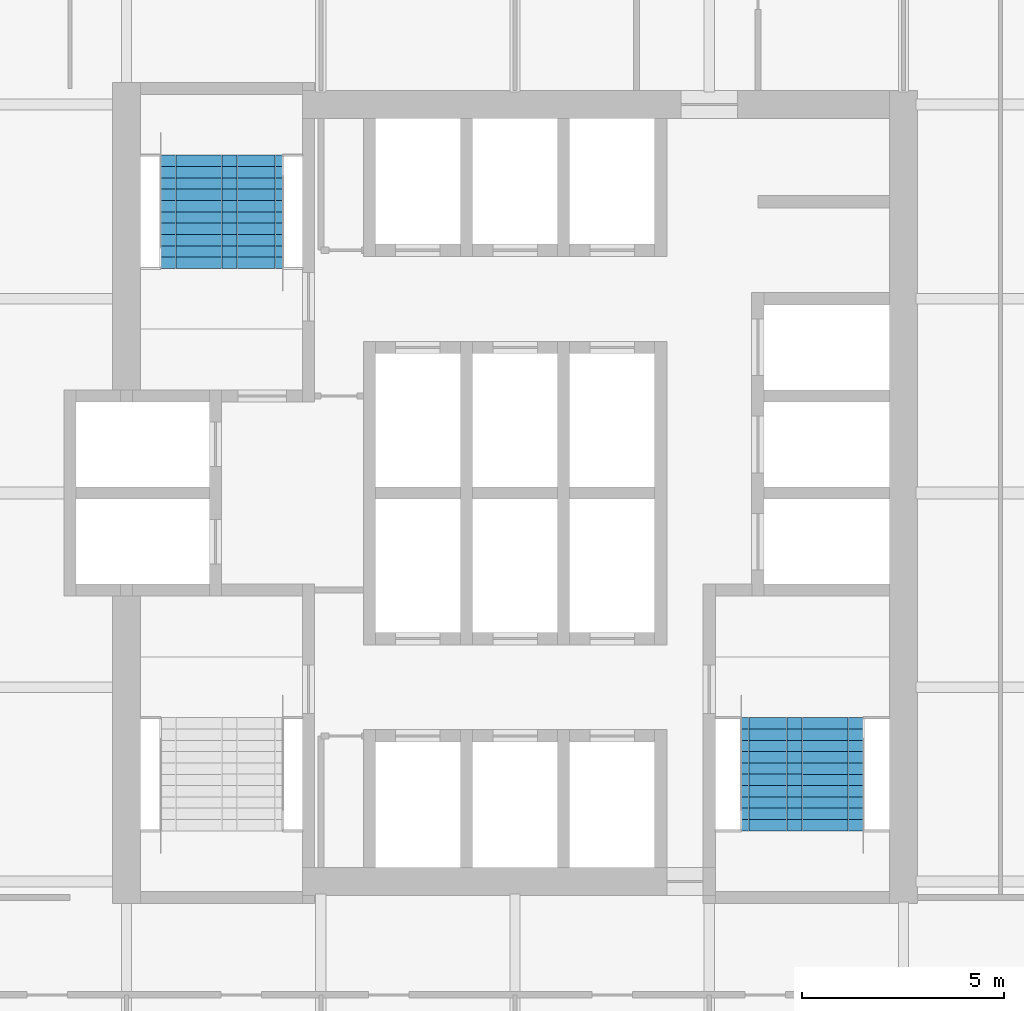
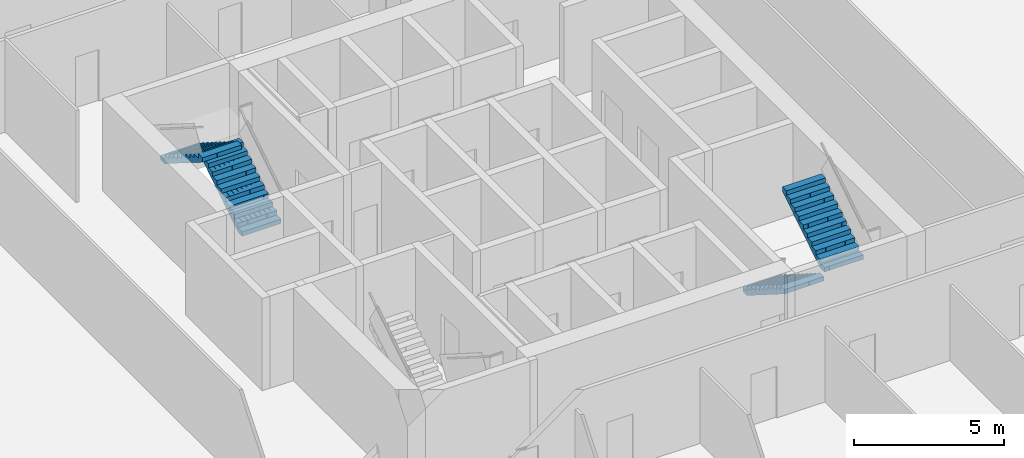
# One storey, part 13 of 15: 4 stair flights, 2 elements without a shape of their own.
"""IFC4 building model written with IfcOpenShell, lengths in metres."""

from ifc_helpers import new_model, si_unit, direction, frame, origin, place, context, subcontext, project, spatial, polyline, outline, extrude, material, type_object, element, aggregate, save


model = new_model("IFC4")

# Units and contexts
model_context = context("Model", 3, precision=1e-05, world=origin(), true_north=direction((0.0, 1.0)))
body_context = subcontext(model_context, "Body", "Model", "MODEL_VIEW")
ifc_project = project(units=[si_unit("LENGTHUNIT", "METRE"), si_unit("AREAUNIT", "SQUARE_METRE"), si_unit("VOLUMEUNIT", "CUBIC_METRE"), si_unit("PLANEANGLEUNIT", "RADIAN"), si_unit("MASSUNIT", "GRAM", prefix="KILO")], contexts=[model_context])

# Site, building, storey
site_placement = place(None, origin())
site = spatial("IfcSite", under=ifc_project, at=site_placement, CompositionType="ELEMENT")
building_placement = place(site_placement, origin())
building = spatial("IfcBuilding", under=site, at=building_placement, Name="Kolab Exchange Tower", CompositionType="ELEMENT")
storey_placement = place(building_placement, frame((0.0, 0.0, 189.5)))
storey = spatial("IfcBuildingStorey", under=building, at=storey_placement, Name="L40", CompositionType="ELEMENT", Elevation=189.5)

# Stair, stair flights
ifc_material = material(Name="Concrete C50/60", Category="concrete")
stair_type_1 = type_object("IfcStairType", Name="STAIR ST1 RISER 177.3", PredefinedType="HALF_TURN_STAIR", material=ifc_material)
stair_1_placement = place(storey_placement, origin())
stair_1 = element("IfcStair", 1, at=stair_1_placement, inside=storey, type_object=stair_type_1, Name="Stair 1", PredefinedType="HALF_TURN_STAIR")
stair_flight_type = type_object("IfcStairFlightType", Name="STAIR FLIGHT 1500 RISER 177.3", PredefinedType="STRAIGHT", material=ifc_material)
stair_flight_1_placement = place(storey_placement, frame((-6.489990234375, 5.550048828125, 0.0), z_axis=(0.0, 0.0, 1.0), x_axis=(0.0, 1.0, 0.0)))
stair_flight_1 = element("IfcStairFlight", 2, at=stair_flight_1_placement, type_object=stair_flight_type, Name="ST1 flight 1", NumberOfRisers=11, NumberOfTreads=10, PredefinedType="STRAIGHT", RiserHeight=0.177272727, TreadLength=0.28, context=body_context, shape_type="SweptSolid", body=[
    extrude(outline(polyline([(0.0, 0.0), (0.0, 0.17724609375), (0.280029296875, 0.17724609375), (0.280029296875, 0.3544921875), (0.56005859375, 0.3544921875), (0.56005859375, 0.53173828125), (0.840087890625, 0.53173828125), (0.840087890625, 0.708984375), (1.1201171875, 0.708984375), (1.1201171875, 0.886474609375), (1.39990234375, 0.886474609375), (1.39990234375, 1.063720703125), (1.679931640625, 1.063720703125), (1.679931640625, 1.240966796875), (1.9599609375, 1.240966796875), (1.9599609375, 1.418212890625), (2.239990234375, 1.418212890625), (2.239990234375, 1.595458984375), (2.52001953125, 1.595458984375), (2.52001953125, 1.772705078125), (2.800048828125, 1.772705078125), (2.800048828125, 1.949951171875), (2.800048828125, 1.59521484375), (0.2802734375, 0.0), (0.0, 0.0)])), frame((0.0, 0.75, 0.0), z_axis=(0.0, -1.0, 0.0), x_axis=(1.0, 0.0, 0.0)), (0.0, 0.0, 1.0), 0.185791015625),
    extrude(outline(polyline([(0.0, 0.0), (0.0, 0.17724609375), (0.280029296875, 0.17724609375), (0.280029296875, 0.3544921875), (0.56005859375, 0.3544921875), (0.56005859375, 0.53173828125), (0.840087890625, 0.53173828125), (0.840087890625, 0.708984375), (1.1201171875, 0.708984375), (1.1201171875, 0.886474609375), (1.39990234375, 0.886474609375), (1.39990234375, 1.063720703125), (1.679931640625, 1.063720703125), (1.679931640625, 1.240966796875), (1.9599609375, 1.240966796875), (1.9599609375, 1.418212890625), (2.239990234375, 1.418212890625), (2.239990234375, 1.595458984375), (2.52001953125, 1.595458984375), (2.52001953125, 1.772705078125), (2.800048828125, 1.772705078125), (2.800048828125, 1.949951171875), (2.800048828125, 1.59521484375), (0.2802734375, 0.0), (0.0, 0.0)])), frame((0.0, 0.562255859375, 0.0), z_axis=(0.0, -1.0, 0.0), x_axis=(1.0, 0.0, 0.0)), (0.0, 0.0, 1.0), 0.185791015625),
    extrude(outline(polyline([(0.0, 0.0), (0.0, 0.17724609375), (0.280029296875, 0.17724609375), (0.280029296875, 0.3544921875), (0.56005859375, 0.3544921875), (0.56005859375, 0.53173828125), (0.840087890625, 0.53173828125), (0.840087890625, 0.708984375), (1.1201171875, 0.708984375), (1.1201171875, 0.886474609375), (1.39990234375, 0.886474609375), (1.39990234375, 1.063720703125), (1.679931640625, 1.063720703125), (1.679931640625, 1.240966796875), (1.9599609375, 1.240966796875), (1.9599609375, 1.418212890625), (2.239990234375, 1.418212890625), (2.239990234375, 1.595458984375), (2.52001953125, 1.595458984375), (2.52001953125, 1.772705078125), (2.800048828125, 1.772705078125), (2.800048828125, 1.949951171875), (2.800048828125, 1.59521484375), (0.2802734375, 0.0), (0.0, 0.0)])), frame((0.0, 0.37451171875, 0.0), z_axis=(0.0, -1.0, 0.0), x_axis=(1.0, 0.0, 0.0)), (0.0, 0.0, 1.0), 0.185791015625),
    extrude(outline(polyline([(0.0, 0.0), (0.0, 0.17724609375), (0.280029296875, 0.17724609375), (0.280029296875, 0.3544921875), (0.56005859375, 0.3544921875), (0.56005859375, 0.53173828125), (0.840087890625, 0.53173828125), (0.840087890625, 0.708984375), (1.1201171875, 0.708984375), (1.1201171875, 0.886474609375), (1.39990234375, 0.886474609375), (1.39990234375, 1.063720703125), (1.679931640625, 1.063720703125), (1.679931640625, 1.240966796875), (1.9599609375, 1.240966796875), (1.9599609375, 1.418212890625), (2.239990234375, 1.418212890625), (2.239990234375, 1.595458984375), (2.52001953125, 1.595458984375), (2.52001953125, 1.772705078125), (2.800048828125, 1.772705078125), (2.800048828125, 1.949951171875), (2.800048828125, 1.59521484375), (0.2802734375, 0.0), (0.0, 0.0)])), frame((0.0, 0.186767578125, 0.0), z_axis=(0.0, -1.0, 0.0), x_axis=(1.0, 0.0, 0.0)), (0.0, 0.0, 1.0), 0.185791015625),
    extrude(outline(polyline([(0.0, 0.0), (0.0, 0.17724609375), (0.280029296875, 0.17724609375), (0.280029296875, 0.3544921875), (0.56005859375, 0.3544921875), (0.56005859375, 0.53173828125), (0.840087890625, 0.53173828125), (0.840087890625, 0.708984375), (1.1201171875, 0.708984375), (1.1201171875, 0.886474609375), (1.39990234375, 0.886474609375), (1.39990234375, 1.063720703125), (1.679931640625, 1.063720703125), (1.679931640625, 1.240966796875), (1.9599609375, 1.240966796875), (1.9599609375, 1.418212890625), (2.239990234375, 1.418212890625), (2.239990234375, 1.595458984375), (2.52001953125, 1.595458984375), (2.52001953125, 1.772705078125), (2.800048828125, 1.772705078125), (2.800048828125, 1.949951171875), (2.800048828125, 1.59521484375), (0.2802734375, 0.0), (0.0, 0.0)])), frame((0.0, -0.0009765625, 0.0), z_axis=(0.0, -1.0, 0.0), x_axis=(1.0, 0.0, 0.0)), (0.0, 0.0, 1.0), 0.185791015625),
    extrude(outline(polyline([(0.0, 0.0), (0.0, 0.17724609375), (0.280029296875, 0.17724609375), (0.280029296875, 0.3544921875), (0.56005859375, 0.3544921875), (0.56005859375, 0.53173828125), (0.840087890625, 0.53173828125), (0.840087890625, 0.708984375), (1.1201171875, 0.708984375), (1.1201171875, 0.886474609375), (1.39990234375, 0.886474609375), (1.39990234375, 1.063720703125), (1.679931640625, 1.063720703125), (1.679931640625, 1.240966796875), (1.9599609375, 1.240966796875), (1.9599609375, 1.418212890625), (2.239990234375, 1.418212890625), (2.239990234375, 1.595458984375), (2.52001953125, 1.595458984375), (2.52001953125, 1.772705078125), (2.800048828125, 1.772705078125), (2.800048828125, 1.949951171875), (2.800048828125, 1.59521484375), (0.2802734375, 0.0), (0.0, 0.0)])), frame((0.0, -0.188720703125, 0.0), z_axis=(0.0, -1.0, 0.0), x_axis=(1.0, 0.0, 0.0)), (0.0, 0.0, 1.0), 0.185791015625),
    extrude(outline(polyline([(0.0, 0.0), (0.0, 0.17724609375), (0.280029296875, 0.17724609375), (0.280029296875, 0.3544921875), (0.56005859375, 0.3544921875), (0.56005859375, 0.53173828125), (0.840087890625, 0.53173828125), (0.840087890625, 0.708984375), (1.1201171875, 0.708984375), (1.1201171875, 0.886474609375), (1.39990234375, 0.886474609375), (1.39990234375, 1.063720703125), (1.679931640625, 1.063720703125), (1.679931640625, 1.240966796875), (1.9599609375, 1.240966796875), (1.9599609375, 1.418212890625), (2.239990234375, 1.418212890625), (2.239990234375, 1.595458984375), (2.52001953125, 1.595458984375), (2.52001953125, 1.772705078125), (2.800048828125, 1.772705078125), (2.800048828125, 1.949951171875), (2.800048828125, 1.59521484375), (0.2802734375, 0.0), (0.0, 0.0)])), frame((0.0, -0.37646484375, 0.0), z_axis=(0.0, -1.0, 0.0), x_axis=(1.0, 0.0, 0.0)), (0.0, 0.0, 1.0), 0.185791015625),
    extrude(outline(polyline([(0.0, 0.0), (0.0, 0.17724609375), (0.280029296875, 0.17724609375), (0.280029296875, 0.3544921875), (0.56005859375, 0.3544921875), (0.56005859375, 0.53173828125), (0.840087890625, 0.53173828125), (0.840087890625, 0.708984375), (1.1201171875, 0.708984375), (1.1201171875, 0.886474609375), (1.39990234375, 0.886474609375), (1.39990234375, 1.063720703125), (1.679931640625, 1.063720703125), (1.679931640625, 1.240966796875), (1.9599609375, 1.240966796875), (1.9599609375, 1.418212890625), (2.239990234375, 1.418212890625), (2.239990234375, 1.595458984375), (2.52001953125, 1.595458984375), (2.52001953125, 1.772705078125), (2.800048828125, 1.772705078125), (2.800048828125, 1.949951171875), (2.800048828125, 1.59521484375), (0.2802734375, 0.0), (0.0, 0.0)])), frame((0.0, -0.564208984375, 0.0), z_axis=(0.0, -1.0, 0.0), x_axis=(1.0, 0.0, 0.0)), (0.0, 0.0, 1.0), 0.185791015625),
])
stair_flight_2_placement = place(storey_placement, frame((-8.010009765625, 8.35009765625, 1.949951171875), z_axis=(0.0, 0.0, 1.0), x_axis=(0.0, -1.0, 0.0)))
stair_flight_2 = element("IfcStairFlight", 3, at=stair_flight_2_placement, type_object=stair_flight_type, Name="ST1 flight 2", NumberOfRisers=11, NumberOfTreads=10, PredefinedType="STRAIGHT", RiserHeight=0.177272727, TreadLength=0.28, context=body_context, shape_type="SweptSolid", body=[
    extrude(outline(polyline([(0.0, 0.0), (0.0, 0.17724609375), (0.280029296875, 0.17724609375), (0.280029296875, 0.3544921875), (0.56005859375, 0.3544921875), (0.56005859375, 0.53173828125), (0.840087890625, 0.53173828125), (0.840087890625, 0.708984375), (1.1201171875, 0.708984375), (1.1201171875, 0.886474609375), (1.39990234375, 0.886474609375), (1.39990234375, 1.063720703125), (1.679931640625, 1.063720703125), (1.679931640625, 1.240966796875), (1.9599609375, 1.240966796875), (1.9599609375, 1.418212890625), (2.239990234375, 1.418212890625), (2.239990234375, 1.595458984375), (2.52001953125, 1.595458984375), (2.52001953125, 1.772705078125), (2.800048828125, 1.772705078125), (2.800048828125, 1.949951171875), (2.800048828125, 1.59521484375), (0.2802734375, 0.0), (0.0, 0.0)])), frame((0.0, 0.75, 0.0), z_axis=(0.0, -1.0, 0.0), x_axis=(1.0, 0.0, 0.0)), (0.0, 0.0, 1.0), 0.185791015625),
    extrude(outline(polyline([(0.0, 0.0), (0.0, 0.17724609375), (0.280029296875, 0.17724609375), (0.280029296875, 0.3544921875), (0.56005859375, 0.3544921875), (0.56005859375, 0.53173828125), (0.840087890625, 0.53173828125), (0.840087890625, 0.708984375), (1.1201171875, 0.708984375), (1.1201171875, 0.886474609375), (1.39990234375, 0.886474609375), (1.39990234375, 1.063720703125), (1.679931640625, 1.063720703125), (1.679931640625, 1.240966796875), (1.9599609375, 1.240966796875), (1.9599609375, 1.418212890625), (2.239990234375, 1.418212890625), (2.239990234375, 1.595458984375), (2.52001953125, 1.595458984375), (2.52001953125, 1.772705078125), (2.800048828125, 1.772705078125), (2.800048828125, 1.949951171875), (2.800048828125, 1.59521484375), (0.2802734375, 0.0), (0.0, 0.0)])), frame((0.0, 0.562255859375, 0.0), z_axis=(0.0, -1.0, 0.0), x_axis=(1.0, 0.0, 0.0)), (0.0, 0.0, 1.0), 0.185791015625),
    extrude(outline(polyline([(0.0, 0.0), (0.0, 0.17724609375), (0.280029296875, 0.17724609375), (0.280029296875, 0.3544921875), (0.56005859375, 0.3544921875), (0.56005859375, 0.53173828125), (0.840087890625, 0.53173828125), (0.840087890625, 0.708984375), (1.1201171875, 0.708984375), (1.1201171875, 0.886474609375), (1.39990234375, 0.886474609375), (1.39990234375, 1.063720703125), (1.679931640625, 1.063720703125), (1.679931640625, 1.240966796875), (1.9599609375, 1.240966796875), (1.9599609375, 1.418212890625), (2.239990234375, 1.418212890625), (2.239990234375, 1.595458984375), (2.52001953125, 1.595458984375), (2.52001953125, 1.772705078125), (2.800048828125, 1.772705078125), (2.800048828125, 1.949951171875), (2.800048828125, 1.59521484375), (0.2802734375, 0.0), (0.0, 0.0)])), frame((0.0, 0.37451171875, 0.0), z_axis=(0.0, -1.0, 0.0), x_axis=(1.0, 0.0, 0.0)), (0.0, 0.0, 1.0), 0.185791015625),
    extrude(outline(polyline([(0.0, 0.0), (0.0, 0.17724609375), (0.280029296875, 0.17724609375), (0.280029296875, 0.3544921875), (0.56005859375, 0.3544921875), (0.56005859375, 0.53173828125), (0.840087890625, 0.53173828125), (0.840087890625, 0.708984375), (1.1201171875, 0.708984375), (1.1201171875, 0.886474609375), (1.39990234375, 0.886474609375), (1.39990234375, 1.063720703125), (1.679931640625, 1.063720703125), (1.679931640625, 1.240966796875), (1.9599609375, 1.240966796875), (1.9599609375, 1.418212890625), (2.239990234375, 1.418212890625), (2.239990234375, 1.595458984375), (2.52001953125, 1.595458984375), (2.52001953125, 1.772705078125), (2.800048828125, 1.772705078125), (2.800048828125, 1.949951171875), (2.800048828125, 1.59521484375), (0.2802734375, 0.0), (0.0, 0.0)])), frame((0.0, 0.186767578125, 0.0), z_axis=(0.0, -1.0, 0.0), x_axis=(1.0, 0.0, 0.0)), (0.0, 0.0, 1.0), 0.185791015625),
    extrude(outline(polyline([(0.0, 0.0), (0.0, 0.17724609375), (0.280029296875, 0.17724609375), (0.280029296875, 0.3544921875), (0.56005859375, 0.3544921875), (0.56005859375, 0.53173828125), (0.840087890625, 0.53173828125), (0.840087890625, 0.708984375), (1.1201171875, 0.708984375), (1.1201171875, 0.886474609375), (1.39990234375, 0.886474609375), (1.39990234375, 1.063720703125), (1.679931640625, 1.063720703125), (1.679931640625, 1.240966796875), (1.9599609375, 1.240966796875), (1.9599609375, 1.418212890625), (2.239990234375, 1.418212890625), (2.239990234375, 1.595458984375), (2.52001953125, 1.595458984375), (2.52001953125, 1.772705078125), (2.800048828125, 1.772705078125), (2.800048828125, 1.949951171875), (2.800048828125, 1.59521484375), (0.2802734375, 0.0), (0.0, 0.0)])), frame((0.0, -0.0009765625, 0.0), z_axis=(0.0, -1.0, 0.0), x_axis=(1.0, 0.0, 0.0)), (0.0, 0.0, 1.0), 0.185791015625),
    extrude(outline(polyline([(0.0, 0.0), (0.0, 0.17724609375), (0.280029296875, 0.17724609375), (0.280029296875, 0.3544921875), (0.56005859375, 0.3544921875), (0.56005859375, 0.53173828125), (0.840087890625, 0.53173828125), (0.840087890625, 0.708984375), (1.1201171875, 0.708984375), (1.1201171875, 0.886474609375), (1.39990234375, 0.886474609375), (1.39990234375, 1.063720703125), (1.679931640625, 1.063720703125), (1.679931640625, 1.240966796875), (1.9599609375, 1.240966796875), (1.9599609375, 1.418212890625), (2.239990234375, 1.418212890625), (2.239990234375, 1.595458984375), (2.52001953125, 1.595458984375), (2.52001953125, 1.772705078125), (2.800048828125, 1.772705078125), (2.800048828125, 1.949951171875), (2.800048828125, 1.59521484375), (0.2802734375, 0.0), (0.0, 0.0)])), frame((0.0, -0.188720703125, 0.0), z_axis=(0.0, -1.0, 0.0), x_axis=(1.0, 0.0, 0.0)), (0.0, 0.0, 1.0), 0.185791015625),
    extrude(outline(polyline([(0.0, 0.0), (0.0, 0.17724609375), (0.280029296875, 0.17724609375), (0.280029296875, 0.3544921875), (0.56005859375, 0.3544921875), (0.56005859375, 0.53173828125), (0.840087890625, 0.53173828125), (0.840087890625, 0.708984375), (1.1201171875, 0.708984375), (1.1201171875, 0.886474609375), (1.39990234375, 0.886474609375), (1.39990234375, 1.063720703125), (1.679931640625, 1.063720703125), (1.679931640625, 1.240966796875), (1.9599609375, 1.240966796875), (1.9599609375, 1.418212890625), (2.239990234375, 1.418212890625), (2.239990234375, 1.595458984375), (2.52001953125, 1.595458984375), (2.52001953125, 1.772705078125), (2.800048828125, 1.772705078125), (2.800048828125, 1.949951171875), (2.800048828125, 1.59521484375), (0.2802734375, 0.0), (0.0, 0.0)])), frame((0.0, -0.37646484375, 0.0), z_axis=(0.0, -1.0, 0.0), x_axis=(1.0, 0.0, 0.0)), (0.0, 0.0, 1.0), 0.185791015625),
    extrude(outline(polyline([(0.0, 0.0), (0.0, 0.17724609375), (0.280029296875, 0.17724609375), (0.280029296875, 0.3544921875), (0.56005859375, 0.3544921875), (0.56005859375, 0.53173828125), (0.840087890625, 0.53173828125), (0.840087890625, 0.708984375), (1.1201171875, 0.708984375), (1.1201171875, 0.886474609375), (1.39990234375, 0.886474609375), (1.39990234375, 1.063720703125), (1.679931640625, 1.063720703125), (1.679931640625, 1.240966796875), (1.9599609375, 1.240966796875), (1.9599609375, 1.418212890625), (2.239990234375, 1.418212890625), (2.239990234375, 1.595458984375), (2.52001953125, 1.595458984375), (2.52001953125, 1.772705078125), (2.800048828125, 1.772705078125), (2.800048828125, 1.949951171875), (2.800048828125, 1.59521484375), (0.2802734375, 0.0), (0.0, 0.0)])), frame((0.0, -0.564208984375, 0.0), z_axis=(0.0, -1.0, 0.0), x_axis=(1.0, 0.0, 0.0)), (0.0, 0.0, 1.0), 0.185791015625),
])
aggregate(stair_1, [stair_flight_1, stair_flight_2])

stair_type_2 = type_object("IfcStairType", Name="STAIR ST2 RISER 177.3", PredefinedType="HALF_TURN_STAIR", material=ifc_material)
stair_2_placement = place(storey_placement, origin())
stair_2 = element("IfcStair", 4, at=stair_2_placement, inside=storey, type_object=stair_type_2, Name="Stair 2", PredefinedType="HALF_TURN_STAIR")
stair_flight_3_placement = place(storey_placement, frame((6.340087890625, -5.550048828125, 0.0), z_axis=(0.0, 0.0, 1.0), x_axis=(0.0, -1.0, 0.0)))
stair_flight_3 = element("IfcStairFlight", 5, at=stair_flight_3_placement, type_object=stair_flight_type, Name="ST2 flight 1", NumberOfRisers=11, NumberOfTreads=10, PredefinedType="STRAIGHT", RiserHeight=0.177272727, TreadLength=0.28, context=body_context, shape_type="SweptSolid", body=[
    extrude(outline(polyline([(0.0, 0.0), (0.0, 0.17724609375), (0.280029296875, 0.17724609375), (0.280029296875, 0.3544921875), (0.56005859375, 0.3544921875), (0.56005859375, 0.53173828125), (0.840087890625, 0.53173828125), (0.840087890625, 0.708984375), (1.1201171875, 0.708984375), (1.1201171875, 0.886474609375), (1.39990234375, 0.886474609375), (1.39990234375, 1.063720703125), (1.679931640625, 1.063720703125), (1.679931640625, 1.240966796875), (1.9599609375, 1.240966796875), (1.9599609375, 1.418212890625), (2.239990234375, 1.418212890625), (2.239990234375, 1.595458984375), (2.52001953125, 1.595458984375), (2.52001953125, 1.772705078125), (2.800048828125, 1.772705078125), (2.800048828125, 1.949951171875), (2.800048828125, 1.59521484375), (0.2802734375, 0.0), (0.0, 0.0)])), frame((0.0, 0.75, 0.0), z_axis=(0.0, -1.0, 0.0), x_axis=(1.0, 0.0, 0.0)), (0.0, 0.0, 1.0), 0.185791015625),
    extrude(outline(polyline([(0.0, 0.0), (0.0, 0.17724609375), (0.280029296875, 0.17724609375), (0.280029296875, 0.3544921875), (0.56005859375, 0.3544921875), (0.56005859375, 0.53173828125), (0.840087890625, 0.53173828125), (0.840087890625, 0.708984375), (1.1201171875, 0.708984375), (1.1201171875, 0.886474609375), (1.39990234375, 0.886474609375), (1.39990234375, 1.063720703125), (1.679931640625, 1.063720703125), (1.679931640625, 1.240966796875), (1.9599609375, 1.240966796875), (1.9599609375, 1.418212890625), (2.239990234375, 1.418212890625), (2.239990234375, 1.595458984375), (2.52001953125, 1.595458984375), (2.52001953125, 1.772705078125), (2.800048828125, 1.772705078125), (2.800048828125, 1.949951171875), (2.800048828125, 1.59521484375), (0.2802734375, 0.0), (0.0, 0.0)])), frame((0.0, 0.562255859375, 0.0), z_axis=(0.0, -1.0, 0.0), x_axis=(1.0, 0.0, 0.0)), (0.0, 0.0, 1.0), 0.185791015625),
    extrude(outline(polyline([(0.0, 0.0), (0.0, 0.17724609375), (0.280029296875, 0.17724609375), (0.280029296875, 0.3544921875), (0.56005859375, 0.3544921875), (0.56005859375, 0.53173828125), (0.840087890625, 0.53173828125), (0.840087890625, 0.708984375), (1.1201171875, 0.708984375), (1.1201171875, 0.886474609375), (1.39990234375, 0.886474609375), (1.39990234375, 1.063720703125), (1.679931640625, 1.063720703125), (1.679931640625, 1.240966796875), (1.9599609375, 1.240966796875), (1.9599609375, 1.418212890625), (2.239990234375, 1.418212890625), (2.239990234375, 1.595458984375), (2.52001953125, 1.595458984375), (2.52001953125, 1.772705078125), (2.800048828125, 1.772705078125), (2.800048828125, 1.949951171875), (2.800048828125, 1.59521484375), (0.2802734375, 0.0), (0.0, 0.0)])), frame((0.0, 0.37451171875, 0.0), z_axis=(0.0, -1.0, 0.0), x_axis=(1.0, 0.0, 0.0)), (0.0, 0.0, 1.0), 0.185791015625),
    extrude(outline(polyline([(0.0, 0.0), (0.0, 0.17724609375), (0.280029296875, 0.17724609375), (0.280029296875, 0.3544921875), (0.56005859375, 0.3544921875), (0.56005859375, 0.53173828125), (0.840087890625, 0.53173828125), (0.840087890625, 0.708984375), (1.1201171875, 0.708984375), (1.1201171875, 0.886474609375), (1.39990234375, 0.886474609375), (1.39990234375, 1.063720703125), (1.679931640625, 1.063720703125), (1.679931640625, 1.240966796875), (1.9599609375, 1.240966796875), (1.9599609375, 1.418212890625), (2.239990234375, 1.418212890625), (2.239990234375, 1.595458984375), (2.52001953125, 1.595458984375), (2.52001953125, 1.772705078125), (2.800048828125, 1.772705078125), (2.800048828125, 1.949951171875), (2.800048828125, 1.59521484375), (0.2802734375, 0.0), (0.0, 0.0)])), frame((0.0, 0.186767578125, 0.0), z_axis=(0.0, -1.0, 0.0), x_axis=(1.0, 0.0, 0.0)), (0.0, 0.0, 1.0), 0.185791015625),
    extrude(outline(polyline([(0.0, 0.0), (0.0, 0.17724609375), (0.280029296875, 0.17724609375), (0.280029296875, 0.3544921875), (0.56005859375, 0.3544921875), (0.56005859375, 0.53173828125), (0.840087890625, 0.53173828125), (0.840087890625, 0.708984375), (1.1201171875, 0.708984375), (1.1201171875, 0.886474609375), (1.39990234375, 0.886474609375), (1.39990234375, 1.063720703125), (1.679931640625, 1.063720703125), (1.679931640625, 1.240966796875), (1.9599609375, 1.240966796875), (1.9599609375, 1.418212890625), (2.239990234375, 1.418212890625), (2.239990234375, 1.595458984375), (2.52001953125, 1.595458984375), (2.52001953125, 1.772705078125), (2.800048828125, 1.772705078125), (2.800048828125, 1.949951171875), (2.800048828125, 1.59521484375), (0.2802734375, 0.0), (0.0, 0.0)])), frame((0.0, -0.0009765625, 0.0), z_axis=(0.0, -1.0, 0.0), x_axis=(1.0, 0.0, 0.0)), (0.0, 0.0, 1.0), 0.185791015625),
    extrude(outline(polyline([(0.0, 0.0), (0.0, 0.17724609375), (0.280029296875, 0.17724609375), (0.280029296875, 0.3544921875), (0.56005859375, 0.3544921875), (0.56005859375, 0.53173828125), (0.840087890625, 0.53173828125), (0.840087890625, 0.708984375), (1.1201171875, 0.708984375), (1.1201171875, 0.886474609375), (1.39990234375, 0.886474609375), (1.39990234375, 1.063720703125), (1.679931640625, 1.063720703125), (1.679931640625, 1.240966796875), (1.9599609375, 1.240966796875), (1.9599609375, 1.418212890625), (2.239990234375, 1.418212890625), (2.239990234375, 1.595458984375), (2.52001953125, 1.595458984375), (2.52001953125, 1.772705078125), (2.800048828125, 1.772705078125), (2.800048828125, 1.949951171875), (2.800048828125, 1.59521484375), (0.2802734375, 0.0), (0.0, 0.0)])), frame((0.0, -0.188720703125, 0.0), z_axis=(0.0, -1.0, 0.0), x_axis=(1.0, 0.0, 0.0)), (0.0, 0.0, 1.0), 0.185791015625),
    extrude(outline(polyline([(0.0, 0.0), (0.0, 0.17724609375), (0.280029296875, 0.17724609375), (0.280029296875, 0.3544921875), (0.56005859375, 0.3544921875), (0.56005859375, 0.53173828125), (0.840087890625, 0.53173828125), (0.840087890625, 0.708984375), (1.1201171875, 0.708984375), (1.1201171875, 0.886474609375), (1.39990234375, 0.886474609375), (1.39990234375, 1.063720703125), (1.679931640625, 1.063720703125), (1.679931640625, 1.240966796875), (1.9599609375, 1.240966796875), (1.9599609375, 1.418212890625), (2.239990234375, 1.418212890625), (2.239990234375, 1.595458984375), (2.52001953125, 1.595458984375), (2.52001953125, 1.772705078125), (2.800048828125, 1.772705078125), (2.800048828125, 1.949951171875), (2.800048828125, 1.59521484375), (0.2802734375, 0.0), (0.0, 0.0)])), frame((0.0, -0.37646484375, 0.0), z_axis=(0.0, -1.0, 0.0), x_axis=(1.0, 0.0, 0.0)), (0.0, 0.0, 1.0), 0.185791015625),
    extrude(outline(polyline([(0.0, 0.0), (0.0, 0.17724609375), (0.280029296875, 0.17724609375), (0.280029296875, 0.3544921875), (0.56005859375, 0.3544921875), (0.56005859375, 0.53173828125), (0.840087890625, 0.53173828125), (0.840087890625, 0.708984375), (1.1201171875, 0.708984375), (1.1201171875, 0.886474609375), (1.39990234375, 0.886474609375), (1.39990234375, 1.063720703125), (1.679931640625, 1.063720703125), (1.679931640625, 1.240966796875), (1.9599609375, 1.240966796875), (1.9599609375, 1.418212890625), (2.239990234375, 1.418212890625), (2.239990234375, 1.595458984375), (2.52001953125, 1.595458984375), (2.52001953125, 1.772705078125), (2.800048828125, 1.772705078125), (2.800048828125, 1.949951171875), (2.800048828125, 1.59521484375), (0.2802734375, 0.0), (0.0, 0.0)])), frame((0.0, -0.564208984375, 0.0), z_axis=(0.0, -1.0, 0.0), x_axis=(1.0, 0.0, 0.0)), (0.0, 0.0, 1.0), 0.185791015625),
])
stair_flight_4_placement = place(storey_placement, frame((7.860107421875, -8.35009765625, 1.949951171875), z_axis=(0.0, 0.0, 1.0), x_axis=(0.0, 1.0, 0.0)))
stair_flight_4 = element("IfcStairFlight", 6, at=stair_flight_4_placement, type_object=stair_flight_type, Name="ST2 flight 2", NumberOfRisers=11, NumberOfTreads=10, PredefinedType="STRAIGHT", RiserHeight=0.177272727, TreadLength=0.28, context=body_context, shape_type="SweptSolid", body=[
    extrude(outline(polyline([(0.0, 0.0), (0.0, 0.17724609375), (0.280029296875, 0.17724609375), (0.280029296875, 0.3544921875), (0.56005859375, 0.3544921875), (0.56005859375, 0.53173828125), (0.840087890625, 0.53173828125), (0.840087890625, 0.708984375), (1.1201171875, 0.708984375), (1.1201171875, 0.886474609375), (1.39990234375, 0.886474609375), (1.39990234375, 1.063720703125), (1.679931640625, 1.063720703125), (1.679931640625, 1.240966796875), (1.9599609375, 1.240966796875), (1.9599609375, 1.418212890625), (2.239990234375, 1.418212890625), (2.239990234375, 1.595458984375), (2.52001953125, 1.595458984375), (2.52001953125, 1.772705078125), (2.800048828125, 1.772705078125), (2.800048828125, 1.949951171875), (2.800048828125, 1.59521484375), (0.2802734375, 0.0), (0.0, 0.0)])), frame((0.0, 0.75, 0.0), z_axis=(0.0, -1.0, 0.0), x_axis=(1.0, 0.0, 0.0)), (0.0, 0.0, 1.0), 0.185791015625),
    extrude(outline(polyline([(0.0, 0.0), (0.0, 0.17724609375), (0.280029296875, 0.17724609375), (0.280029296875, 0.3544921875), (0.56005859375, 0.3544921875), (0.56005859375, 0.53173828125), (0.840087890625, 0.53173828125), (0.840087890625, 0.708984375), (1.1201171875, 0.708984375), (1.1201171875, 0.886474609375), (1.39990234375, 0.886474609375), (1.39990234375, 1.063720703125), (1.679931640625, 1.063720703125), (1.679931640625, 1.240966796875), (1.9599609375, 1.240966796875), (1.9599609375, 1.418212890625), (2.239990234375, 1.418212890625), (2.239990234375, 1.595458984375), (2.52001953125, 1.595458984375), (2.52001953125, 1.772705078125), (2.800048828125, 1.772705078125), (2.800048828125, 1.949951171875), (2.800048828125, 1.59521484375), (0.2802734375, 0.0), (0.0, 0.0)])), frame((0.0, 0.562255859375, 0.0), z_axis=(0.0, -1.0, 0.0), x_axis=(1.0, 0.0, 0.0)), (0.0, 0.0, 1.0), 0.185791015625),
    extrude(outline(polyline([(0.0, 0.0), (0.0, 0.17724609375), (0.280029296875, 0.17724609375), (0.280029296875, 0.3544921875), (0.56005859375, 0.3544921875), (0.56005859375, 0.53173828125), (0.840087890625, 0.53173828125), (0.840087890625, 0.708984375), (1.1201171875, 0.708984375), (1.1201171875, 0.886474609375), (1.39990234375, 0.886474609375), (1.39990234375, 1.063720703125), (1.679931640625, 1.063720703125), (1.679931640625, 1.240966796875), (1.9599609375, 1.240966796875), (1.9599609375, 1.418212890625), (2.239990234375, 1.418212890625), (2.239990234375, 1.595458984375), (2.52001953125, 1.595458984375), (2.52001953125, 1.772705078125), (2.800048828125, 1.772705078125), (2.800048828125, 1.949951171875), (2.800048828125, 1.59521484375), (0.2802734375, 0.0), (0.0, 0.0)])), frame((0.0, 0.37451171875, 0.0), z_axis=(0.0, -1.0, 0.0), x_axis=(1.0, 0.0, 0.0)), (0.0, 0.0, 1.0), 0.185791015625),
    extrude(outline(polyline([(0.0, 0.0), (0.0, 0.17724609375), (0.280029296875, 0.17724609375), (0.280029296875, 0.3544921875), (0.56005859375, 0.3544921875), (0.56005859375, 0.53173828125), (0.840087890625, 0.53173828125), (0.840087890625, 0.708984375), (1.1201171875, 0.708984375), (1.1201171875, 0.886474609375), (1.39990234375, 0.886474609375), (1.39990234375, 1.063720703125), (1.679931640625, 1.063720703125), (1.679931640625, 1.240966796875), (1.9599609375, 1.240966796875), (1.9599609375, 1.418212890625), (2.239990234375, 1.418212890625), (2.239990234375, 1.595458984375), (2.52001953125, 1.595458984375), (2.52001953125, 1.772705078125), (2.800048828125, 1.772705078125), (2.800048828125, 1.949951171875), (2.800048828125, 1.59521484375), (0.2802734375, 0.0), (0.0, 0.0)])), frame((0.0, 0.186767578125, 0.0), z_axis=(0.0, -1.0, 0.0), x_axis=(1.0, 0.0, 0.0)), (0.0, 0.0, 1.0), 0.185791015625),
    extrude(outline(polyline([(0.0, 0.0), (0.0, 0.17724609375), (0.280029296875, 0.17724609375), (0.280029296875, 0.3544921875), (0.56005859375, 0.3544921875), (0.56005859375, 0.53173828125), (0.840087890625, 0.53173828125), (0.840087890625, 0.708984375), (1.1201171875, 0.708984375), (1.1201171875, 0.886474609375), (1.39990234375, 0.886474609375), (1.39990234375, 1.063720703125), (1.679931640625, 1.063720703125), (1.679931640625, 1.240966796875), (1.9599609375, 1.240966796875), (1.9599609375, 1.418212890625), (2.239990234375, 1.418212890625), (2.239990234375, 1.595458984375), (2.52001953125, 1.595458984375), (2.52001953125, 1.772705078125), (2.800048828125, 1.772705078125), (2.800048828125, 1.949951171875), (2.800048828125, 1.59521484375), (0.2802734375, 0.0), (0.0, 0.0)])), frame((0.0, -0.0009765625, 0.0), z_axis=(0.0, -1.0, 0.0), x_axis=(1.0, 0.0, 0.0)), (0.0, 0.0, 1.0), 0.185791015625),
    extrude(outline(polyline([(0.0, 0.0), (0.0, 0.17724609375), (0.280029296875, 0.17724609375), (0.280029296875, 0.3544921875), (0.56005859375, 0.3544921875), (0.56005859375, 0.53173828125), (0.840087890625, 0.53173828125), (0.840087890625, 0.708984375), (1.1201171875, 0.708984375), (1.1201171875, 0.886474609375), (1.39990234375, 0.886474609375), (1.39990234375, 1.063720703125), (1.679931640625, 1.063720703125), (1.679931640625, 1.240966796875), (1.9599609375, 1.240966796875), (1.9599609375, 1.418212890625), (2.239990234375, 1.418212890625), (2.239990234375, 1.595458984375), (2.52001953125, 1.595458984375), (2.52001953125, 1.772705078125), (2.800048828125, 1.772705078125), (2.800048828125, 1.949951171875), (2.800048828125, 1.59521484375), (0.2802734375, 0.0), (0.0, 0.0)])), frame((0.0, -0.188720703125, 0.0), z_axis=(0.0, -1.0, 0.0), x_axis=(1.0, 0.0, 0.0)), (0.0, 0.0, 1.0), 0.185791015625),
    extrude(outline(polyline([(0.0, 0.0), (0.0, 0.17724609375), (0.280029296875, 0.17724609375), (0.280029296875, 0.3544921875), (0.56005859375, 0.3544921875), (0.56005859375, 0.53173828125), (0.840087890625, 0.53173828125), (0.840087890625, 0.708984375), (1.1201171875, 0.708984375), (1.1201171875, 0.886474609375), (1.39990234375, 0.886474609375), (1.39990234375, 1.063720703125), (1.679931640625, 1.063720703125), (1.679931640625, 1.240966796875), (1.9599609375, 1.240966796875), (1.9599609375, 1.418212890625), (2.239990234375, 1.418212890625), (2.239990234375, 1.595458984375), (2.52001953125, 1.595458984375), (2.52001953125, 1.772705078125), (2.800048828125, 1.772705078125), (2.800048828125, 1.949951171875), (2.800048828125, 1.59521484375), (0.2802734375, 0.0), (0.0, 0.0)])), frame((0.0, -0.37646484375, 0.0), z_axis=(0.0, -1.0, 0.0), x_axis=(1.0, 0.0, 0.0)), (0.0, 0.0, 1.0), 0.185791015625),
    extrude(outline(polyline([(0.0, 0.0), (0.0, 0.17724609375), (0.280029296875, 0.17724609375), (0.280029296875, 0.3544921875), (0.56005859375, 0.3544921875), (0.56005859375, 0.53173828125), (0.840087890625, 0.53173828125), (0.840087890625, 0.708984375), (1.1201171875, 0.708984375), (1.1201171875, 0.886474609375), (1.39990234375, 0.886474609375), (1.39990234375, 1.063720703125), (1.679931640625, 1.063720703125), (1.679931640625, 1.240966796875), (1.9599609375, 1.240966796875), (1.9599609375, 1.418212890625), (2.239990234375, 1.418212890625), (2.239990234375, 1.595458984375), (2.52001953125, 1.595458984375), (2.52001953125, 1.772705078125), (2.800048828125, 1.772705078125), (2.800048828125, 1.949951171875), (2.800048828125, 1.59521484375), (0.2802734375, 0.0), (0.0, 0.0)])), frame((0.0, -0.564208984375, 0.0), z_axis=(0.0, -1.0, 0.0), x_axis=(1.0, 0.0, 0.0)), (0.0, 0.0, 1.0), 0.185791015625),
])
aggregate(stair_2, [stair_flight_3, stair_flight_4])

save(model, "model.ifc")
